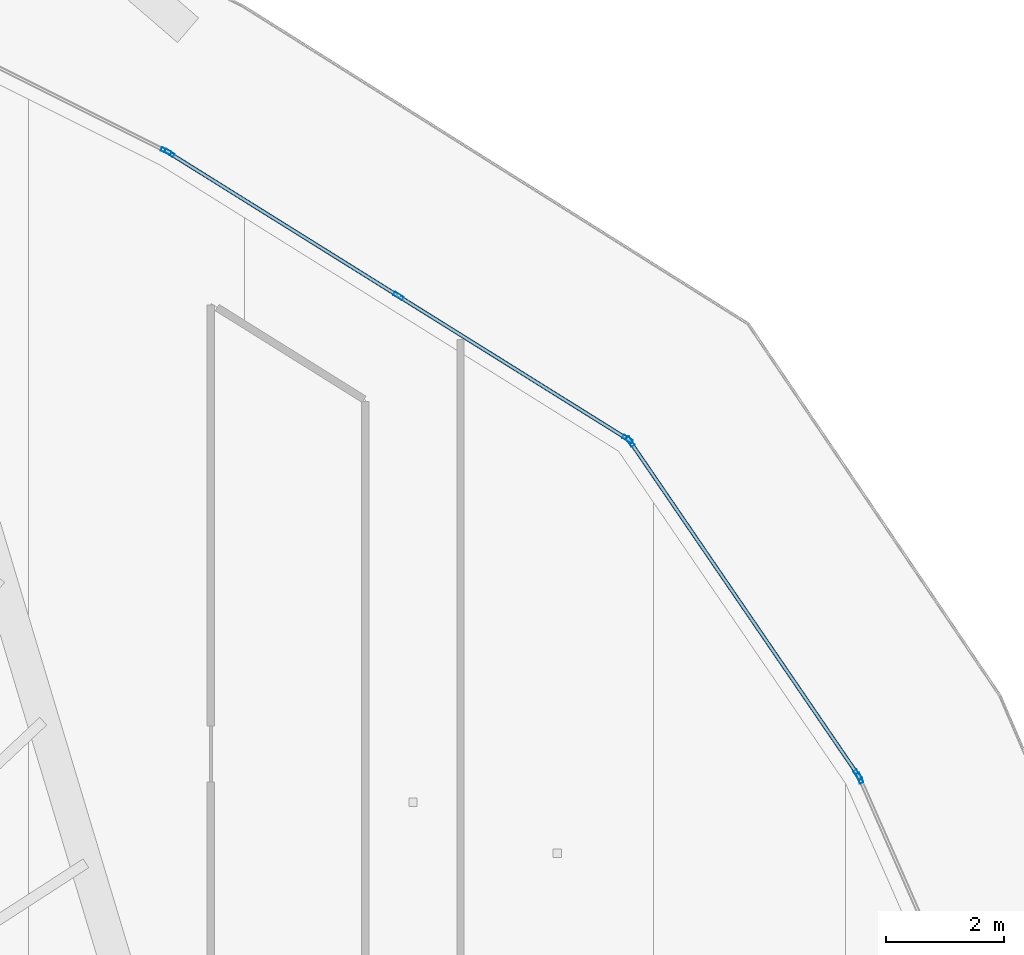
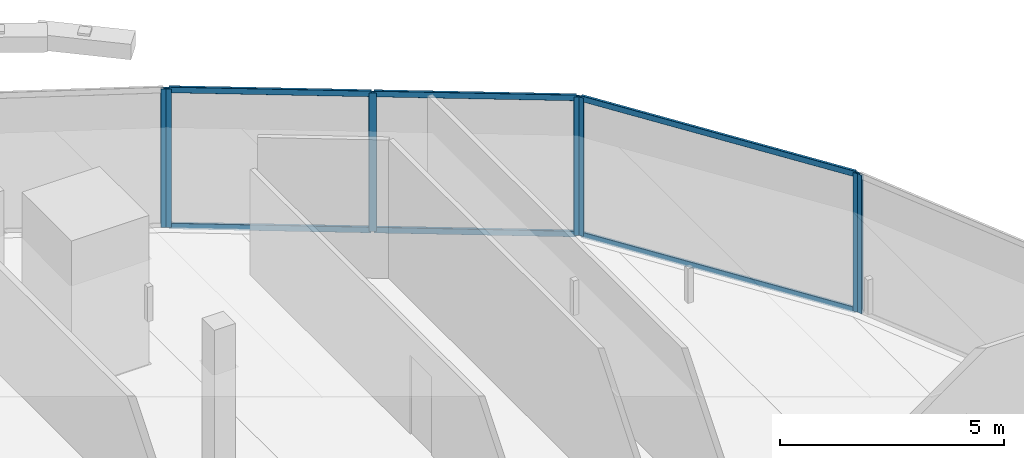
# One storey, part 23 of 42: 13 members, 4 elements without a shape of their own.
"""IFC4 building model written with IfcOpenShell, lengths in metres."""

from ifc_helpers import new_model, si_unit, direction, frame, origin, origin_2d, place, context, subcontext, project, spatial, hollow_rectangle, extrude, material, layer, layer_set, material_profile, profile_set, type_object, element, aggregate, save


model = new_model("IFC4")

# Units and contexts
model_context = context("Model", 3, precision=1e-05, world=origin(), true_north=direction((0.0, 1.0)))
body_context = subcontext(model_context, "Body", "Model", "MODEL_VIEW")
ifc_project = project(units=[si_unit("LENGTHUNIT", "METRE"), si_unit("AREAUNIT", "SQUARE_METRE"), si_unit("VOLUMEUNIT", "CUBIC_METRE"), si_unit("PLANEANGLEUNIT", "RADIAN"), si_unit("MASSUNIT", "GRAM", prefix="KILO")], contexts=[model_context])

# Site, building, storey
site_placement = place(None, origin())
site = spatial("IfcSite", under=ifc_project, at=site_placement, CompositionType="ELEMENT")
building_placement = place(site_placement, origin())
building = spatial("IfcBuilding", under=site, at=building_placement, Name="Qorvath Tower", CompositionType="ELEMENT")
storey_placement = place(building_placement, frame((0.0, 0.0, 121.949951171875)))
storey = spatial("IfcBuildingStorey", under=building, at=storey_placement, Name="L27", CompositionType="ELEMENT", Elevation=121.949951171875)

# Curtain wall, member
ifc_material_1 = material(Name="Anodised aluminium and triple low-E glass", Category="aluminium")
ifc_layer = layer(ifc_material_1, 0.179931640625)
ifc_layer_set = layer_set([ifc_layer], Name="CW-SYS-2")
curtain_wall_type = type_object("IfcCurtainWallType", Name="CW-SYS-2", PredefinedType="NOTDEFINED", material=ifc_layer_set)
curtain_wall_1_placement = place(storey_placement, origin())
curtain_wall_1 = element("IfcCurtainWall", 1, at=curtain_wall_1_placement, inside=storey, type_object=curtain_wall_type, Name="Curtain Wall CW-2 CW-T-L27-12.1", PredefinedType="NOTDEFINED")
ifc_material_2 = material(Name="Anodised aluminium 6063-T6", Category="aluminium")
ifc_material_profile_1 = material_profile(ifc_material_2, hollow_rectangle(XDim=0.06494140625, YDim=0.179931640625, WallThickness=0.00341796875, InnerFilletRadius=0.00341796875, OuterFilletRadius=0.007080078125, at=origin_2d()), Name="CWM 180x65")
ifc_profile_set_1 = profile_set([ifc_material_profile_1], Name="Anodised aluminium 6063-T6")
member_type_1 = type_object("IfcMemberType", Name="CWM-180", PredefinedType="MULLION", material=ifc_profile_set_1)
member_1_placement = place(storey_placement, frame((0.38525390625, 17.982666015625, 0.0), z_axis=(0.0, 0.0, 1.0), x_axis=(-0.915793818987, -0.401648703602, 0.0)))
member_1 = element("IfcMember", 2, at=member_1_placement, type_object=member_type_1, Name="CW-2 mullion 2", PredefinedType="MULLION", context=body_context, shape_type="SweptSolid", body=[
    extrude(hollow_rectangle(XDim=0.06494140625, YDim=0.179931640625, WallThickness=0.00341796875, InnerFilletRadius=0.00341796875, OuterFilletRadius=0.007080078125, at=origin_2d()), origin(), (0.0, 0.0, 1.0), 3.77001953125),
])
aggregate(curtain_wall_1, [member_1])

# Curtain wall, members
curtain_wall_2_placement = place(storey_placement, origin())
curtain_wall_2 = element("IfcCurtainWall", 3, at=curtain_wall_2_placement, inside=storey, type_object=curtain_wall_type, Name="Curtain Wall CW-2 CW-T-L27-13.1", PredefinedType="NOTDEFINED")
member_2_placement = place(storey_placement, frame((0.35400390625, 18.039306640625, 0.0), z_axis=(0.0, 0.0, 1.0), x_axis=(-0.825662865244, -0.564163835208, 0.0)))
member_2 = element("IfcMember", 4, at=member_2_placement, type_object=member_type_1, Name="CW-2 mullion 1", PredefinedType="MULLION", context=body_context, shape_type="SweptSolid", body=[
    extrude(hollow_rectangle(XDim=0.06494140625, YDim=0.179931640625, WallThickness=0.00341796875, InnerFilletRadius=0.00341796875, OuterFilletRadius=0.007080078125, at=origin_2d()), origin(), (0.0, 0.0, 1.0), 3.77001953125),
])
member_3_placement = place(storey_placement, frame((-3.5029296875, 23.683837890625, 0.0), z_axis=(0.0, 0.0, 1.0), x_axis=(-0.825662865244, -0.564163835208, 0.0)))
member_3 = element("IfcMember", 5, at=member_3_placement, type_object=member_type_1, Name="CW-2 mullion 2", PredefinedType="MULLION", context=body_context, shape_type="SweptSolid", body=[
    extrude(hollow_rectangle(XDim=0.06494140625, YDim=0.179931640625, WallThickness=0.00341796875, InnerFilletRadius=0.00341796875, OuterFilletRadius=0.007080078125, at=origin_2d()), origin(), (0.0, 0.0, 1.0), 3.77001953125),
])

curtain_wall_3_placement = place(storey_placement, origin())
curtain_wall_3 = element("IfcCurtainWall", 6, at=curtain_wall_3_placement, inside=storey, type_object=curtain_wall_type, Name="Curtain Wall CW-2 CW-T-L27-14.1", PredefinedType="NOTDEFINED")
member_4_placement = place(storey_placement, frame((-3.548828125, 23.72802734375, 0.0), z_axis=(0.0, 0.0, 1.0), x_axis=(-0.529503324069, -0.84830786263, 0.0)))
member_4 = element("IfcMember", 7, at=member_4_placement, type_object=member_type_1, Name="CW-2 mullion 1", PredefinedType="MULLION", context=body_context, shape_type="SweptSolid", body=[
    extrude(hollow_rectangle(XDim=0.06494140625, YDim=0.179931640625, WallThickness=0.00341796875, InnerFilletRadius=0.00341796875, OuterFilletRadius=0.007080078125, at=origin_2d()), origin(), (0.0, 0.0, 1.0), 3.77001953125),
])
member_5_placement = place(storey_placement, frame((-7.4296875, 26.150390625, 0.0), z_axis=(0.0, 0.0, 1.0), x_axis=(-0.529503324069, -0.84830786263, 0.0)))
member_5 = element("IfcMember", 8, at=member_5_placement, type_object=member_type_1, Name="CW-2 mullion 2", PredefinedType="MULLION", context=body_context, shape_type="SweptSolid", body=[
    extrude(hollow_rectangle(XDim=0.06494140625, YDim=0.179931640625, WallThickness=0.00341796875, InnerFilletRadius=0.00341796875, OuterFilletRadius=0.007080078125, at=origin_2d()), origin(), (0.0, 0.0, 1.0), 3.77001953125),
])
member_6_placement = place(storey_placement, frame((-11.310791015625, 28.572998046875, 0.0), z_axis=(0.0, 0.0, 1.0), x_axis=(-0.529503324069, -0.84830786263, 0.0)))
member_6 = element("IfcMember", 9, at=member_6_placement, type_object=member_type_1, Name="CW-2 mullion 3", PredefinedType="MULLION", context=body_context, shape_type="SweptSolid", body=[
    extrude(hollow_rectangle(XDim=0.06494140625, YDim=0.179931640625, WallThickness=0.00341796875, InnerFilletRadius=0.00341796875, OuterFilletRadius=0.007080078125, at=origin_2d()), origin(), (0.0, 0.0, 1.0), 3.77001953125),
])

# Curtain wall, member
curtain_wall_4_placement = place(storey_placement, origin())
curtain_wall_4 = element("IfcCurtainWall", 10, at=curtain_wall_4_placement, inside=storey, type_object=curtain_wall_type, Name="Curtain Wall CW-2 CW-T-L27-15.1", PredefinedType="NOTDEFINED")
member_7_placement = place(storey_placement, frame((-11.367431640625, 28.604736328125, 0.0), z_axis=(0.0, 0.0, 1.0), x_axis=(-0.447262398188, -0.894402787992, 0.0)))
member_7 = element("IfcMember", 11, at=member_7_placement, type_object=member_type_1, Name="CW-2 mullion 1", PredefinedType="MULLION", context=body_context, shape_type="SweptSolid", body=[
    extrude(hollow_rectangle(XDim=0.06494140625, YDim=0.179931640625, WallThickness=0.00341796875, InnerFilletRadius=0.00341796875, OuterFilletRadius=0.007080078125, at=origin_2d()), origin(), (0.0, 0.0, 1.0), 3.77001953125),
])
aggregate(curtain_wall_4, [member_7])

# Member
ifc_material_3 = material(Name="Anodised aluminium 6063-T6", Category="aluminium")
ifc_material_profile_2 = material_profile(ifc_material_3, hollow_rectangle(XDim=0.06494140625, YDim=0.159912109375, WallThickness=0.00341796875, InnerFilletRadius=0.00341796875, OuterFilletRadius=0.007080078125, at=origin_2d()), Name="CWT 160x65")
ifc_profile_set_2 = profile_set([ifc_material_profile_2], Name="Anodised aluminium 6063-T6")
member_type_2 = type_object("IfcMemberType", Name="CWT-160", PredefinedType="USERDEFINED", material=ifc_profile_set_2)
member_8_placement = place(storey_placement, frame((0.335693359375, 18.066162109375, 0.032470703125), z_axis=(-0.564182312323, 0.825650239788, 0.0), x_axis=(-0.825650239788, -0.564182312323, 0.0)))
member_8 = element("IfcMember", 12, at=member_8_placement, type_object=member_type_2, Name="CW-2 transom 1.1", ObjectType="TRANSOM", PredefinedType="USERDEFINED", context=body_context, shape_type="SweptSolid", body=[
    extrude(hollow_rectangle(XDim=0.06494140625, YDim=0.159912109375, WallThickness=0.00341796875, InnerFilletRadius=0.00341796875, OuterFilletRadius=0.007080078125, at=origin_2d()), origin(), (0.0, 0.0, 1.0), 6.771484375),
])

member_9_placement = place(storey_placement, frame((0.335693359375, 18.066162109375, 3.737548828125), z_axis=(-0.564182312323, 0.825650239788, 0.0), x_axis=(-0.825650239788, -0.564182312323, 0.0)))
member_9 = element("IfcMember", 13, at=member_9_placement, type_object=member_type_2, Name="CW-2 transom 1.2", ObjectType="TRANSOM", PredefinedType="USERDEFINED", context=body_context, shape_type="SweptSolid", body=[
    extrude(hollow_rectangle(XDim=0.06494140625, YDim=0.159912109375, WallThickness=0.00341796875, InnerFilletRadius=0.00341796875, OuterFilletRadius=0.007080078125, at=origin_2d()), origin(), (0.0, 0.0, 1.0), 6.771484375),
])

aggregate(curtain_wall_2, [member_2, member_3, member_8, member_9])

member_10_placement = place(storey_placement, frame((-3.576416015625, 23.7451171875, 0.032470703125), z_axis=(-0.848299237237, 0.529517142407, 0.0), x_axis=(-0.529517142407, -0.848299237237, 0.0)))
member_10 = element("IfcMember", 14, at=member_10_placement, type_object=member_type_2, Name="CW-2 transom 1.1", ObjectType="TRANSOM", PredefinedType="USERDEFINED", context=body_context, shape_type="SweptSolid", body=[
    extrude(hollow_rectangle(XDim=0.06494140625, YDim=0.159912109375, WallThickness=0.00341796875, InnerFilletRadius=0.00341796875, OuterFilletRadius=0.007080078125, at=origin_2d()), origin(), (0.0, 0.0, 1.0), 4.510009765625),
])

member_11_placement = place(storey_placement, frame((-3.576416015625, 23.7451171875, 3.737548828125), z_axis=(-0.848299237237, 0.529517142407, 0.0), x_axis=(-0.529517142407, -0.848299237237, 0.0)))
member_11 = element("IfcMember", 15, at=member_11_placement, type_object=member_type_2, Name="CW-2 transom 1.2", ObjectType="TRANSOM", PredefinedType="USERDEFINED", context=body_context, shape_type="SweptSolid", body=[
    extrude(hollow_rectangle(XDim=0.06494140625, YDim=0.159912109375, WallThickness=0.00341796875, InnerFilletRadius=0.00341796875, OuterFilletRadius=0.007080078125, at=origin_2d()), origin(), (0.0, 0.0, 1.0), 4.510009765625),
])

member_12_placement = place(storey_placement, frame((-7.457275390625, 26.167724609375, 0.032470703125), z_axis=(-0.848323552443, 0.52947818687, 0.0), x_axis=(-0.52947818687, -0.848323552443, 0.0)))
member_12 = element("IfcMember", 16, at=member_12_placement, type_object=member_type_2, Name="CW-2 transom 2.1", ObjectType="TRANSOM", PredefinedType="USERDEFINED", context=body_context, shape_type="SweptSolid", body=[
    extrude(hollow_rectangle(XDim=0.06494140625, YDim=0.159912109375, WallThickness=0.00341796875, InnerFilletRadius=0.00341796875, OuterFilletRadius=0.007080078125, at=origin_2d()), origin(), (0.0, 0.0, 1.0), 4.510009765625),
])

member_13_placement = place(storey_placement, frame((-7.457275390625, 26.167724609375, 3.737548828125), z_axis=(-0.848323552443, 0.52947818687, 0.0), x_axis=(-0.52947818687, -0.848323552443, 0.0)))
member_13 = element("IfcMember", 17, at=member_13_placement, type_object=member_type_2, Name="CW-2 transom 2.2", ObjectType="TRANSOM", PredefinedType="USERDEFINED", context=body_context, shape_type="SweptSolid", body=[
    extrude(hollow_rectangle(XDim=0.06494140625, YDim=0.159912109375, WallThickness=0.00341796875, InnerFilletRadius=0.00341796875, OuterFilletRadius=0.007080078125, at=origin_2d()), origin(), (0.0, 0.0, 1.0), 4.510009765625),
])

aggregate(curtain_wall_3, [member_4, member_5, member_6, member_10, member_11, member_12, member_13])

save(model, "model.ifc")
